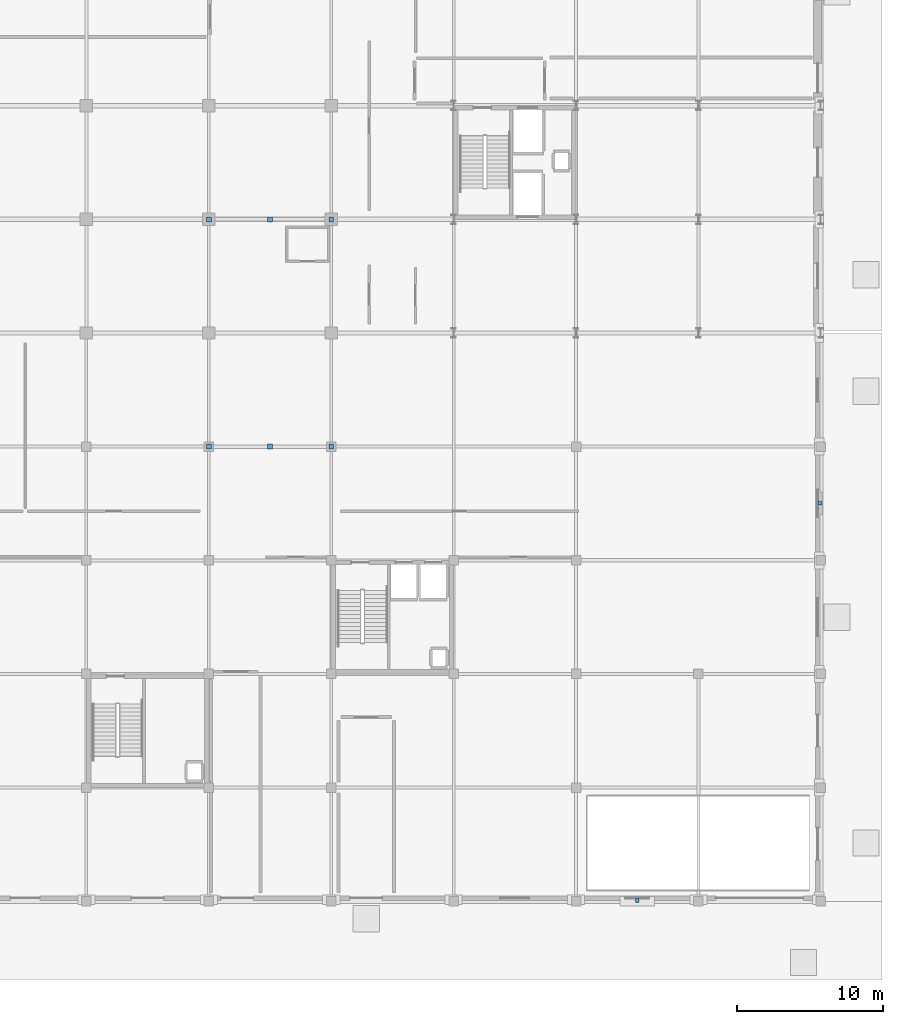
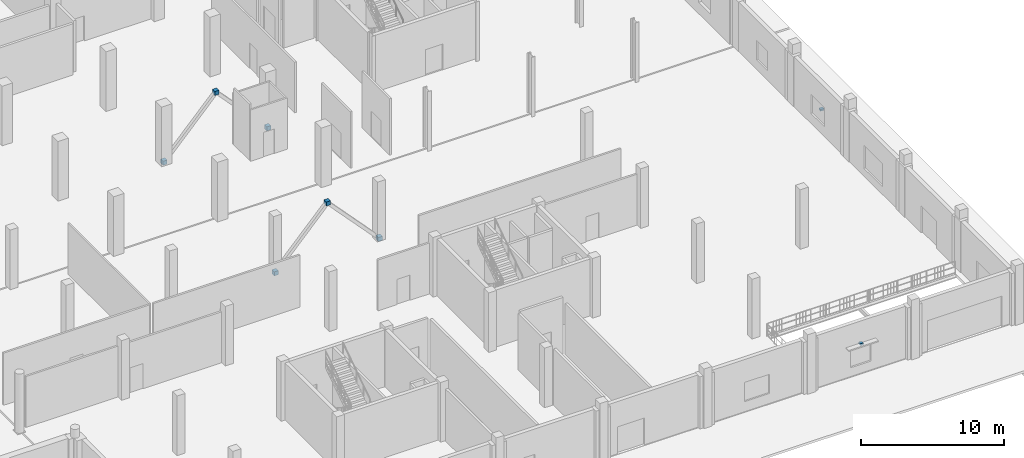
# One storey, part 65 of 80: 8 discrete accessories.
"""IFC4 building model written with IfcOpenShell, lengths in metres."""

from ifc_helpers import new_model, si_unit, direction, frame, origin, origin_2d, place, context, subcontext, project, spatial, rectangle, extrude, material, layer, layer_set, type_object, element, save


model = new_model("IFC4")

# Units and contexts
model_context = context("Model", 3, precision=1e-05, world=origin(), true_north=direction((0.0, 1.0)))
body_context = subcontext(model_context, "Body", "Model", "MODEL_VIEW")
ifc_project = project(units=[si_unit("LENGTHUNIT", "METRE"), si_unit("AREAUNIT", "SQUARE_METRE"), si_unit("VOLUMEUNIT", "CUBIC_METRE"), si_unit("PLANEANGLEUNIT", "RADIAN"), si_unit("MASSUNIT", "GRAM", prefix="KILO")], contexts=[model_context])

# Site, building, storey
site_placement = place(None, origin())
site = spatial("IfcSite", under=ifc_project, at=site_placement, CompositionType="ELEMENT")
building_placement = place(site_placement, origin())
building = spatial("IfcBuilding", under=site, at=building_placement, Name="Nabrawat Pavilion Hospital", CompositionType="ELEMENT")
storey_placement = place(building_placement, origin())
storey = spatial("IfcBuildingStorey", under=building, at=storey_placement, Name="L00", CompositionType="ELEMENT", Elevation=0.0)

# Discrete accessories
ifc_material = material(Name="Steel S355", Category="steel")
ifc_layer_1 = layer(ifc_material, 0.02001953125, Name="Steel S355")
ifc_layer_set_1 = layer_set([ifc_layer_1], Name="Steel S355")
discrete_accessory_type_1 = type_object("IfcDiscreteAccessoryType", Name="Brace and Strut Gusset End Bracket 20", PredefinedType="BRACKET", material=ifc_layer_set_1)
for number, where, z_axis, x_axis, name in (
    (1, (155.39990234375, 31.199951171875, 4.3798828125), (0.0, 0.0, 1.0), (1.0, 0.0, 0.0), "L00 Brace and Strut Gusset End Connection 0051"),
    (2, (151.199951171875, 31.199951171875, -0.1201171875), (0.0, 0.0, 1.0), (1.0, 0.0, 0.0), "L00 Brace and Strut Gusset End Connection 0052"),
    (3, (159.60009765625, 31.199951171875, -0.1201171875), (0.0, 0.0, 1.0), (1.0, 0.0, 0.0), "L00 Brace and Strut Gusset End Connection 0053"),
    (4, (155.39990234375, 46.800048828125, 4.3798828125), (0.0, 0.0, 1.0), (1.0, 0.0, 0.0), "L00 Brace and Strut Gusset End Connection 0069"),
    (5, (151.199951171875, 46.800048828125, -0.1201171875), (0.0, 0.0, 1.0), (1.0, 0.0, 0.0), "L00 Brace and Strut Gusset End Connection 0070"),
    (6, (159.60009765625, 46.800048828125, -0.1201171875), (0.0, 0.0, 1.0), (1.0, 0.0, 0.0), "L00 Brace and Strut Gusset End Connection 0071"),
):
    element("IfcDiscreteAccessory", number, at=place(storey_placement, frame(where, z_axis=z_axis, x_axis=x_axis)), inside=storey, type_object=discrete_accessory_type_1, Name=name, PredefinedType="BRACKET", context=body_context, shape_type="SweptSolid", body=[
        extrude(rectangle(XDim=0.340087890625, YDim=0.340087890625, at=origin_2d()), origin(), (0.0, 0.0, 1.0), 0.340087890625),
    ])
ifc_layer_2 = layer(ifc_material, 0.159912109375, Name="Steel S355")
ifc_layer_set_2 = layer_set([ifc_layer_2], Name="Steel S355")
discrete_accessory_type_2 = type_object("IfcDiscreteAccessoryType", Name="Facade Shading Support Steel Bracket", PredefinedType="BRACKET", material=ifc_layer_set_2)
for number, where, z_axis, x_axis, name in (
    (7, (180.60009765625, 0.054931640625, 2.47021484375), (0.0, 0.0, 1.0), (1.0, 0.0, 0.0), "L00 Facade Shading Bracket 005"),
    (8, (193.14501953125, 27.300048828125, 1.59521484375), (0.0, 0.0, 1.0), (0.0, 1.0, 0.0), "L00 Facade Shading Bracket 006"),
):
    element("IfcDiscreteAccessory", number, at=place(storey_placement, frame(where, z_axis=z_axis, x_axis=x_axis)), inside=storey, type_object=discrete_accessory_type_2, Name=name, PredefinedType="BRACKET", context=body_context, shape_type="SweptSolid", body=[
        extrude(rectangle(XDim=0.239990234375, YDim=0.280029296875, at=origin_2d()), origin(), (0.0, 0.0, 1.0), 0.159912109375),
    ])

save(model, "model.ifc")
